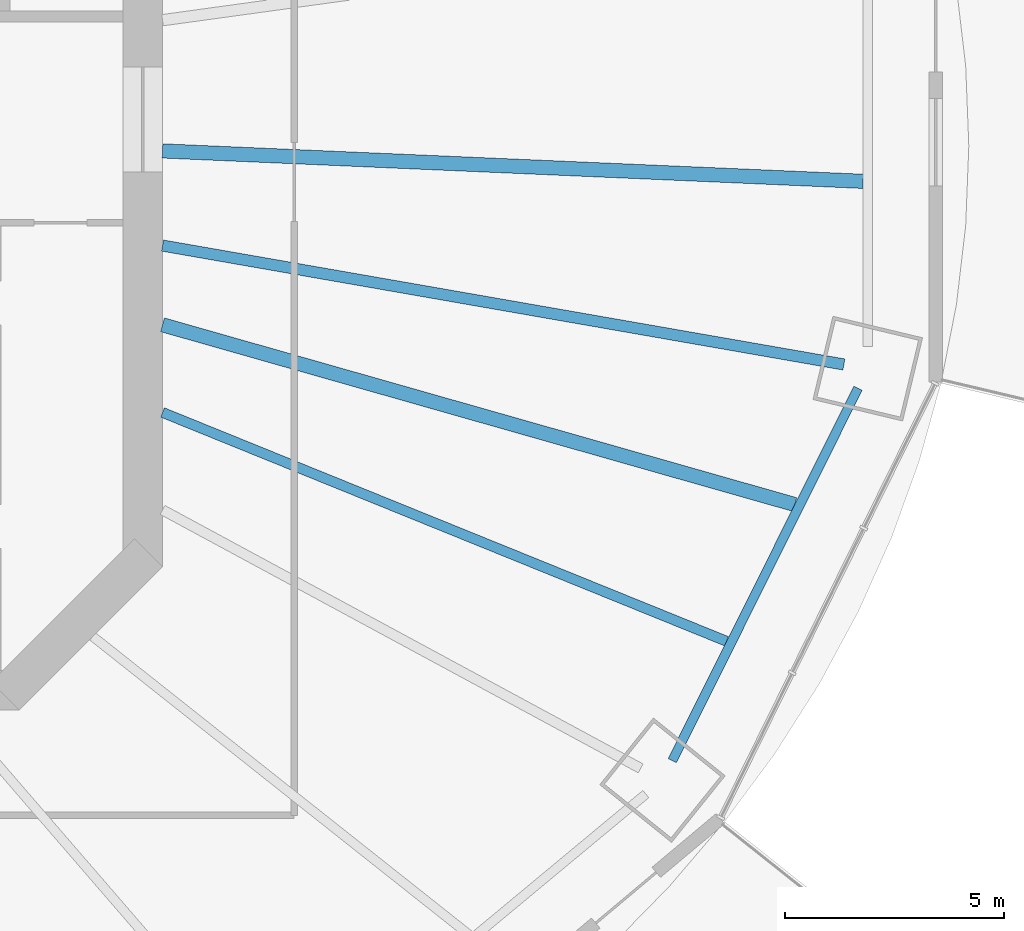
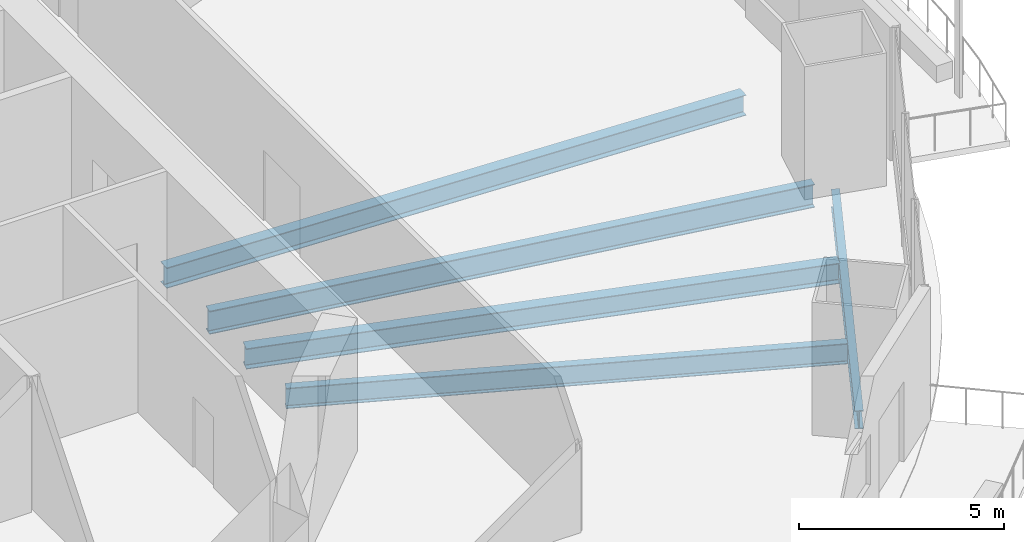
# One storey, part 5 of 21: 5 beams.
"""IFC4 building model written with IfcOpenShell, lengths in metres."""

from ifc_helpers import new_model, si_unit, direction, frame, origin, origin_2d, place, context, subcontext, project, spatial, i_section, extrude, material, material_profile, profile_set, type_object, element, save


model = new_model("IFC4")

# Units and contexts
model_context = context("Model", 3, precision=1e-05, world=origin(), true_north=direction((0.0, 1.0)))
body_context = subcontext(model_context, "Body", "Model", "MODEL_VIEW")
ifc_project = project(units=[si_unit("LENGTHUNIT", "METRE"), si_unit("AREAUNIT", "SQUARE_METRE"), si_unit("VOLUMEUNIT", "CUBIC_METRE"), si_unit("PLANEANGLEUNIT", "RADIAN"), si_unit("MASSUNIT", "GRAM", prefix="KILO")], contexts=[model_context])

# Site, building, storey
site_placement = place(None, origin())
site = spatial("IfcSite", under=ifc_project, at=site_placement, CompositionType="ELEMENT")
building_placement = place(site_placement, origin())
building = spatial("IfcBuilding", under=site, at=building_placement, Name="Marenthal Gate Tower", CompositionType="ELEMENT")
storey_placement = place(building_placement, frame((0.0, 0.0, 169.35009765625)))
storey = spatial("IfcBuildingStorey", under=building, at=storey_placement, Name="L36", CompositionType="ELEMENT", Elevation=169.35009765625)

# Beams
ifc_material_1 = material(Name="Steel S355", Category="steel")
ifc_material_profile_1 = material_profile(ifc_material_1, i_section(OverallWidth=0.2119140625, OverallDepth=0.5439453125, WebThickness=0.01318359375, FlangeThickness=0.021240234375, FilletRadius=0.0126953125, at=origin_2d()), Name="W530X123")
ifc_profile_set_1 = profile_set([ifc_material_profile_1], Name="Steel S355")
beam_type_1 = type_object("IfcBeamType", Name="W530X123 beam", PredefinedType="BEAM", material=ifc_profile_set_1)
beam_1_placement = place(storey_placement, frame((28.06298828125, -14.60595703125, -0.4521484375), z_axis=(0.446296506962, 0.894885147868, 0.0), x_axis=(-0.894885147868, 0.446296506962, 0.0)))
element("IfcBeam", 1, at=beam_1_placement, inside=storey, type_object=beam_type_1, Name="BM-L36-55", PredefinedType="BEAM", context=body_context, shape_type="SweptSolid", body=[
    extrude(i_section(OverallWidth=0.2119140625, OverallDepth=0.5439453125, WebThickness=0.01318359375, FlangeThickness=0.021240234375, FilletRadius=0.0126953125, at=origin_2d()), origin(), (0.0, 0.0, 1.0), 9.4794921875),
])
ifc_material_2 = material(Name="Steel S355", Category="steel")
ifc_material_profile_2 = material_profile(ifc_material_2, i_section(OverallWidth=0.22900390625, OverallDepth=0.612060546875, WebThickness=0.011962890625, FlangeThickness=0.01953125, FilletRadius=0.0126953125, at=origin_2d()), Name="W610X125")
ifc_profile_set_2 = profile_set([ifc_material_profile_2], Name="Steel S355")
beam_type_2 = type_object("IfcBeamType", Name="W610X125 beam", PredefinedType="BEAM", material=ifc_profile_set_2)
beam_2_placement = place(storey_placement, frame((29.301025390625, -11.885986328125, -0.486083984375), z_axis=(-0.926657906444, 0.37590573875, 0.0), x_axis=(-0.37590573875, -0.926657906444, 0.0)))
element("IfcBeam", 2, at=beam_2_placement, inside=storey, type_object=beam_type_2, Name="BM-L36-38", PredefinedType="BEAM", context=body_context, shape_type="SweptSolid", body=[
    extrude(i_section(OverallWidth=0.22900390625, OverallDepth=0.612060546875, WebThickness=0.011962890625, FlangeThickness=0.01953125, FilletRadius=0.0126953125, at=origin_2d()), origin(), (0.0, 0.0, 1.0), 13.8681640625),
])
ifc_material_3 = material(Name="Steel S355", Category="steel")
ifc_material_profile_3 = material_profile(ifc_material_3, i_section(OverallWidth=0.324951171875, OverallDepth=0.612060546875, WebThickness=0.0126953125, FlangeThickness=0.01904296875, FilletRadius=0.0126953125, at=origin_2d()), Name="W610X155")
ifc_profile_set_3 = profile_set([ifc_material_profile_3], Name="Steel S355")
beam_type_3 = type_object("IfcBeamType", Name="W610X155 beam", PredefinedType="BEAM", material=ifc_profile_set_3)
beam_3_placement = place(storey_placement, frame((30.854736328125, -8.770751953125, -0.486083984375), z_axis=(-0.961892197576, 0.273428967454, 0.0), x_axis=(-0.273428967454, -0.961892197576, 0.0)))
element("IfcBeam", 3, at=beam_3_placement, inside=storey, type_object=beam_type_3, Name="BM-L36-39", PredefinedType="BEAM", context=body_context, shape_type="SweptSolid", body=[
    extrude(i_section(OverallWidth=0.324951171875, OverallDepth=0.612060546875, WebThickness=0.0126953125, FlangeThickness=0.01904296875, FilletRadius=0.0126953125, at=origin_2d()), origin(), (0.0, 0.0, 1.0), 14.9755859375),
])
beam_4_placement = place(storey_placement, frame((32.4111328125, -1.4072265625, -0.486083984375), z_axis=(-0.999059125822, 0.043368918719, 0.0), x_axis=(-0.043368918719, -0.999059125822, 0.0)))
element("IfcBeam", 4, at=beam_4_placement, inside=storey, type_object=beam_type_3, Name="BM-L36-40", PredefinedType="BEAM", context=body_context, shape_type="SweptSolid", body=[
    extrude(i_section(OverallWidth=0.324951171875, OverallDepth=0.612060546875, WebThickness=0.0126953125, FlangeThickness=0.01904296875, FilletRadius=0.0126953125, at=origin_2d()), origin(), (0.0, 0.0, 1.0), 15.976318359375),
])
ifc_material_4 = material(Name="Steel S355", Category="steel")
ifc_material_profile_4 = material_profile(ifc_material_4, i_section(OverallWidth=0.257080078125, OverallDepth=0.693115234375, WebThickness=0.014404296875, FlangeThickness=0.023681640625, FilletRadius=0.015380859375, at=origin_2d()), Name="W690X170")
ifc_profile_set_4 = profile_set([ifc_material_profile_4], Name="Steel S355")
beam_type_4 = type_object("IfcBeamType", Name="W690X170 beam", PredefinedType="BEAM", material=ifc_profile_set_4)
beam_5_placement = place(storey_placement, frame((31.973388671875, -5.579833984375, -0.526611328125), z_axis=(-0.985112434091, 0.171911291656, 0.0), x_axis=(-0.171911291656, -0.985112434091, 0.0)))
element("IfcBeam", 5, at=beam_5_placement, inside=storey, type_object=beam_type_4, Name="BM-L36-16", PredefinedType="BEAM", context=body_context, shape_type="SweptSolid", body=[
    extrude(i_section(OverallWidth=0.257080078125, OverallDepth=0.693115234375, WebThickness=0.014404296875, FlangeThickness=0.023681640625, FilletRadius=0.015380859375, at=origin_2d()), origin(), (0.0, 0.0, 1.0), 15.758056640625),
])

save(model, "model.ifc")
